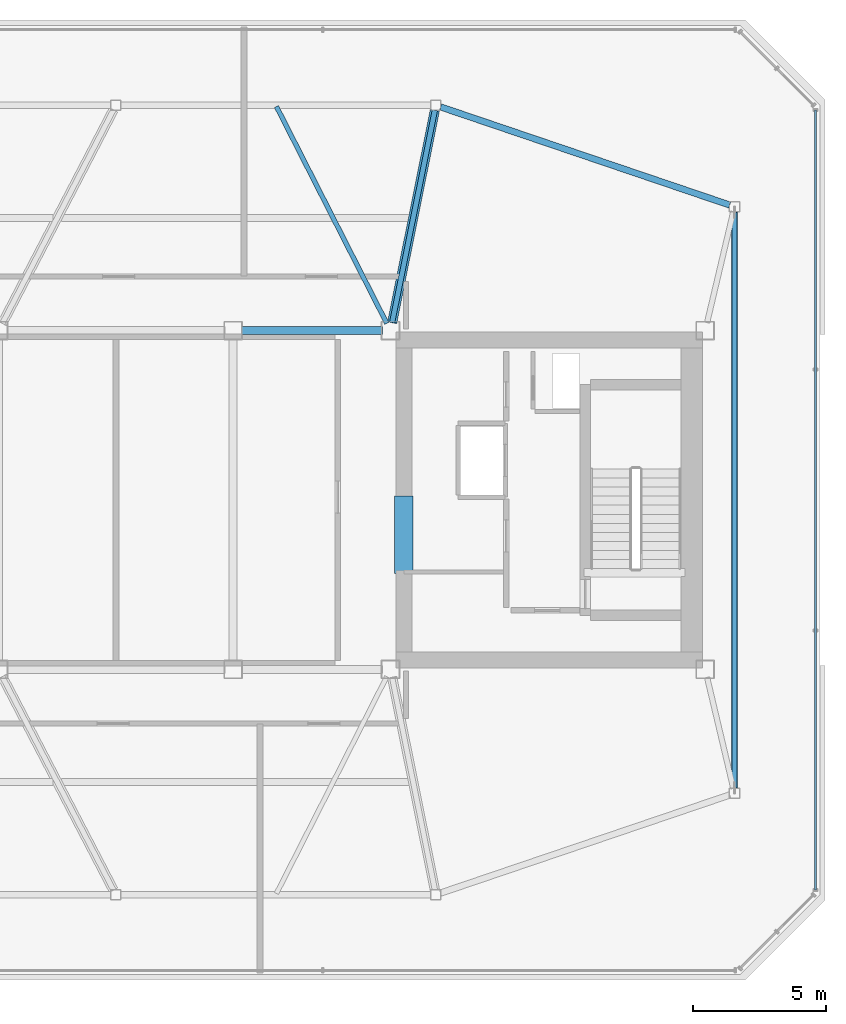
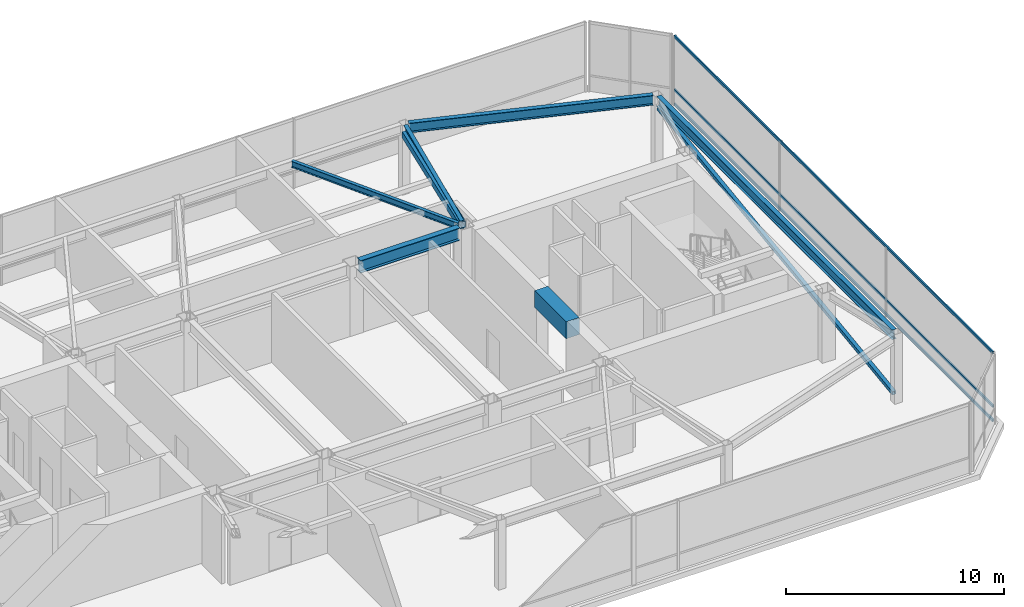
# One storey, part 11 of 21: 6 beams, 5 members, 1 element without a shape of its own.
"""IFC4 building model written with IfcOpenShell, lengths in metres."""

from ifc_helpers import new_model, si_unit, direction, frame, origin, origin_2d, place, context, subcontext, project, spatial, rectangle, hollow_rectangle, i_section, extrude, material, layer, layer_set, material_profile, profile_set, type_object, element, aggregate, save


model = new_model("IFC4")

# Units and contexts
model_context = context("Model", 3, precision=1e-05, world=origin(), true_north=direction((0.0, 1.0)))
body_context = subcontext(model_context, "Body", "Model", "MODEL_VIEW")
ifc_project = project(units=[si_unit("LENGTHUNIT", "METRE"), si_unit("AREAUNIT", "SQUARE_METRE"), si_unit("VOLUMEUNIT", "CUBIC_METRE"), si_unit("PLANEANGLEUNIT", "RADIAN"), si_unit("MASSUNIT", "GRAM", prefix="KILO")], contexts=[model_context])

# Site, building, storey
site_placement = place(None, origin())
site = spatial("IfcSite", under=ifc_project, at=site_placement, CompositionType="ELEMENT")
building_placement = place(site_placement, origin())
building = spatial("IfcBuilding", under=site, at=building_placement, Name="Tavrogorsk Clinical Tower", CompositionType="ELEMENT")
storey_placement = place(building_placement, frame((0.0, 0.0, 348.60009765625)))
storey = spatial("IfcBuildingStorey", under=building, at=storey_placement, Name="L81", CompositionType="ELEMENT", Elevation=348.60009765625)

# Beam
ifc_material_1 = material(Name="Concrete B80", Category="concrete")
ifc_material_profile_1 = material_profile(ifc_material_1, rectangle(XDim=0.699951171875, YDim=0.949951171875, at=origin_2d()), Name="RC-CB-700x950")
ifc_profile_set_1 = profile_set([ifc_material_profile_1], Name="Concrete B80")
beam_type_1 = type_object("IfcBeamType", Name="CouplingBeam_RC700x950", PredefinedType="LINTEL", material=ifc_profile_set_1)
beam_1_placement = place(storey_placement, frame((10.800048828125, -2.75, 3.4248046875), z_axis=(0.0, 1.0, 0.0), x_axis=(-1.0, 0.0, 0.0)))
element("IfcBeam", 1, at=beam_1_placement, inside=storey, type_object=beam_type_1, Name="L81 Core East Coupling Beam", PredefinedType="LINTEL", context=body_context, shape_type="SweptSolid", body=[
    extrude(rectangle(XDim=0.699951171875, YDim=0.949951171875, at=origin_2d()), origin(), (0.0, 0.0, 1.0), 2.89990234375),
])

# Members
ifc_material_2 = material(Name="Structural steel S355", Category="steel")
ifc_material_profile_2 = material_profile(ifc_material_2, hollow_rectangle(XDim=0.199951171875, YDim=0.199951171875, WallThickness=0.010009765625, at=origin_2d()), Name="SHS-200x200x10")
ifc_profile_set_2 = profile_set([ifc_material_profile_2], Name="Structural steel S355")
member_type_1 = type_object("IfcMemberType", Name="CrownBrace_SHS200", PredefinedType="BRACE", material=ifc_profile_set_2)
member_1_placement = place(storey_placement, frame((23.199951171875, -10.791748046875, 0.327880859375), z_axis=(0.0, 0.991129911898, 0.132896567831), x_axis=(-1.0, 0.0, 0.0)))
element("IfcMember", 2, at=member_1_placement, inside=storey, type_object=member_type_1, Name="L81 Crown Drum Brace 2", PredefinedType="BRACE", context=body_context, shape_type="SweptSolid", body=[
    extrude(hollow_rectangle(XDim=0.199951171875, YDim=0.199951171875, WallThickness=0.010009765625, at=origin_2d()), origin(), (0.0, 0.0, 1.0), 21.776611328125),
])
ifc_material_3 = material(Name="Structural steel S390", Category="steel")
ifc_material_profile_3 = material_profile(ifc_material_3, hollow_rectangle(XDim=0.35009765625, YDim=0.35009765625, WallThickness=0.01611328125, at=origin_2d()), Name="SHS-350x350x16")
ifc_profile_set_3 = profile_set([ifc_material_profile_3], Name="Structural steel S390")
member_type_2 = type_object("IfcMemberType", Name="CrownFacetRafter_SHS350", PredefinedType="RAFTER", material=ifc_profile_set_3)
member_2_placement = place(storey_placement, frame((10.361083984375, 6.65380859375, 3.669189453125), z_axis=(0.197131403057, 0.979759922029, -0.034780815313), x_axis=(-0.980353070529, 0.197250746779, 0.0)))
element("IfcMember", 3, at=member_2_placement, inside=storey, type_object=member_type_2, Name="L81 Sloped Facet Rafter N-3", PredefinedType="RAFTER", context=body_context, shape_type="SweptSolid", body=[
    extrude(hollow_rectangle(XDim=0.35009765625, YDim=0.35009765625, WallThickness=0.01611328125, at=origin_2d()), origin(), (0.0, 0.0, 1.0), 8.114501953125),
])

# Curtain wall, members
ifc_material_4 = material(Name="Anodised aluminium and triple IGU glazing", Category="aluminium")
ifc_layer = layer(ifc_material_4, 0.179931640625)
ifc_layer_set = layer_set([ifc_layer], Name="Anodised aluminium and triple IGU glazing")
curtain_wall_type = type_object("IfcCurtainWallType", Name="CW5_SkyLobby", PredefinedType="NOTDEFINED", material=ifc_layer_set)
curtain_wall_placement = place(storey_placement, origin())
curtain_wall = element("IfcCurtainWall", 4, at=curtain_wall_placement, inside=storey, type_object=curtain_wall_type, Name="L81 Curtain Wall CW-L81-DRUM-6", PredefinedType="NOTDEFINED")
ifc_material_5 = material(Name="Anodised aluminium alloy AW-6060", Category="aluminium")
ifc_material_profile_4 = material_profile(ifc_material_5, hollow_rectangle(XDim=0.074951171875, YDim=0.14990234375, WallThickness=0.0048828125, at=origin_2d()), Name="RHS-150x75x5")
ifc_profile_set_4 = profile_set([ifc_material_profile_4], Name="Anodised aluminium alloy AW-6060")
member_type_3 = type_object("IfcMemberType", Name="CwTransom_150x75", PredefinedType="USERDEFINED", material=ifc_profile_set_4)
member_3_placement = place(storey_placement, frame((26.239990234375, 14.628662109375, 0.0498046875), z_axis=(0.0, -1.0, 0.0), x_axis=(1.0, 0.0, 0.0)))
member_3 = element("IfcMember", 5, at=member_3_placement, type_object=member_type_3, Name="CW-L81-DRUM-6 Transom 1", ObjectType="TRANSOM", PredefinedType="USERDEFINED", context=body_context, shape_type="SweptSolid", body=[
    extrude(hollow_rectangle(XDim=0.074951171875, YDim=0.14990234375, WallThickness=0.0048828125, at=origin_2d()), origin(), (0.0, 0.0, 1.0), 29.25732421875),
])
member_4_placement = place(storey_placement, frame((26.239990234375, 14.628662109375, 0.849853515625), z_axis=(0.0, -1.0, 0.0), x_axis=(1.0, 0.0, 0.0)))
member_4 = element("IfcMember", 6, at=member_4_placement, type_object=member_type_3, Name="CW-L81-DRUM-6 Transom 2", ObjectType="TRANSOM", PredefinedType="USERDEFINED", context=body_context, shape_type="SweptSolid", body=[
    extrude(hollow_rectangle(XDim=0.074951171875, YDim=0.14990234375, WallThickness=0.0048828125, at=origin_2d()), origin(), (0.0, 0.0, 1.0), 29.25732421875),
])
member_5_placement = place(storey_placement, frame((26.239990234375, 14.628662109375, 3.849853515625), z_axis=(0.0, -1.0, 0.0), x_axis=(1.0, 0.0, 0.0)))
member_5 = element("IfcMember", 7, at=member_5_placement, type_object=member_type_3, Name="CW-L81-DRUM-6 Transom 3", ObjectType="TRANSOM", PredefinedType="USERDEFINED", context=body_context, shape_type="SweptSolid", body=[
    extrude(hollow_rectangle(XDim=0.074951171875, YDim=0.14990234375, WallThickness=0.0048828125, at=origin_2d()), origin(), (0.0, 0.0, 1.0), 29.25732421875),
])
aggregate(curtain_wall, [member_3, member_4, member_5])

# Beams
ifc_material_6 = material(Name="Structural steel S355", Category="steel")
ifc_material_profile_5 = material_profile(ifc_material_6, i_section(OverallWidth=0.199951171875, OverallDepth=0.449951171875, WebThickness=0.011474609375, FlangeThickness=0.01806640625, at=origin_2d()), Name="B-450x200x11.5x18")
ifc_profile_set_5 = profile_set([ifc_material_profile_5], Name="Structural steel S355")
beam_type_2 = type_object("IfcBeamType", Name="FloorBeam_B450", PredefinedType="BEAM", material=ifc_profile_set_5)
beam_2_placement = place(storey_placement, frame((10.361083984375, 6.65380859375, 3.6748046875), z_axis=(0.197249355273, 0.980353350504, 0.0), x_axis=(-0.980353350504, 0.197249355273, 0.0)))
element("IfcBeam", 8, at=beam_2_placement, inside=storey, type_object=beam_type_2, Name="L81 Crown Radial Beam 06", PredefinedType="BEAM", context=body_context, shape_type="SweptSolid", body=[
    extrude(i_section(OverallWidth=0.199951171875, OverallDepth=0.449951171875, WebThickness=0.011474609375, FlangeThickness=0.01806640625, at=origin_2d()), origin(), (0.0, 0.0, 1.0), 8.119384765625),
])
ifc_material_7 = material(Name="Structural steel S390", Category="steel")
ifc_material_profile_6 = material_profile(ifc_material_7, i_section(OverallWidth=0.300048828125, OverallDepth=0.699951171875, WebThickness=0.01708984375, FlangeThickness=0.028076171875, at=origin_2d()), Name="B-700x300x17x28")
ifc_profile_set_6 = profile_set([ifc_material_profile_6], Name="Structural steel S390")
beam_type_3 = type_object("IfcBeamType", Name="PrimaryGirder_B700", PredefinedType="USERDEFINED", material=ifc_profile_set_6)
beam_3_placement = place(storey_placement, frame((4.7099609375, 6.35009765625, 3.5498046875), z_axis=(1.0, 0.0, 0.0), x_axis=(0.0, 1.0, 0.0)))
element("IfcBeam", 9, at=beam_3_placement, inside=storey, type_object=beam_type_3, Name="L81 Primary Spine Girder MG-06", ObjectType="GIRDER", PredefinedType="USERDEFINED", context=body_context, shape_type="SweptSolid", body=[
    extrude(i_section(OverallWidth=0.300048828125, OverallDepth=0.699951171875, WebThickness=0.01708984375, FlangeThickness=0.028076171875, at=origin_2d()), origin(), (0.0, 0.0, 1.0), 5.280029296875),
])
ifc_material_8 = material(Name="Structural steel S355", Category="steel")
ifc_material_profile_7 = material_profile(ifc_material_8, i_section(OverallWidth=0.175048828125, OverallDepth=0.35009765625, WebThickness=0.009521484375, FlangeThickness=0.013916015625, at=origin_2d()), Name="B-350x175x9.5x14")
ifc_profile_set_7 = profile_set([ifc_material_profile_7], Name="Structural steel S355")
beam_type_4 = type_object("IfcBeamType", Name="SecondaryJoist_B350", PredefinedType="JOIST", material=ifc_profile_set_7)
beam_4_placement = place(storey_placement, frame((10.159423828125, 6.626220703125, 3.724853515625), z_axis=(-0.4535299827, 0.891241019474, 0.0), x_axis=(-0.891241019474, -0.4535299827, 0.0)))
element("IfcBeam", 10, at=beam_4_placement, inside=storey, type_object=beam_type_4, Name="L81 Crown Secondary Joist 04", PredefinedType="JOIST", context=body_context, shape_type="SweptSolid", body=[
    extrude(i_section(OverallWidth=0.175048828125, OverallDepth=0.35009765625, WebThickness=0.009521484375, FlangeThickness=0.013916015625, at=origin_2d()), origin(), (0.0, 0.0, 1.0), 9.12109375),
])
ifc_material_9 = material(Name="Structural steel S390", Category="steel")
ifc_material_profile_8 = material_profile(ifc_material_9, i_section(OverallWidth=0.239990234375, OverallDepth=0.550048828125, WebThickness=0.013916015625, FlangeThickness=0.02197265625, at=origin_2d()), Name="B-550x240x14x22")
ifc_profile_set_8 = profile_set([ifc_material_profile_8], Name="Structural steel S390")
beam_type_5 = type_object("IfcBeamType", Name="SpandrelBeam_B550", PredefinedType="SPANDREL", material=ifc_profile_set_8)
beam_5_placement = place(storey_placement, frame((23.199951171875, -10.81005859375, 3.625), z_axis=(0.0, 1.0, 0.0), x_axis=(-1.0, 0.0, 0.0)))
element("IfcBeam", 11, at=beam_5_placement, inside=storey, type_object=beam_type_5, Name="L81 Crown Spandrel Beam 04", PredefinedType="SPANDREL", context=body_context, shape_type="SweptSolid", body=[
    extrude(i_section(OverallWidth=0.239990234375, OverallDepth=0.550048828125, WebThickness=0.013916015625, FlangeThickness=0.02197265625, at=origin_2d()), origin(), (0.0, 0.0, 1.0), 21.6201171875),
])
beam_6_placement = place(storey_placement, frame((23.02001953125, 11.06103515625, 3.625), z_axis=(-0.946976266831, 0.321303517034, 0.0), x_axis=(-0.321303517034, -0.946976266831, 0.0)))
element("IfcBeam", 12, at=beam_6_placement, inside=storey, type_object=beam_type_5, Name="L81 Crown Spandrel Beam 05", PredefinedType="SPANDREL", context=body_context, shape_type="SweptSolid", body=[
    extrude(i_section(OverallWidth=0.239990234375, OverallDepth=0.550048828125, WebThickness=0.013916015625, FlangeThickness=0.02197265625, at=origin_2d()), origin(), (0.0, 0.0, 1.0), 11.447021484375),
])

save(model, "model.ifc")
